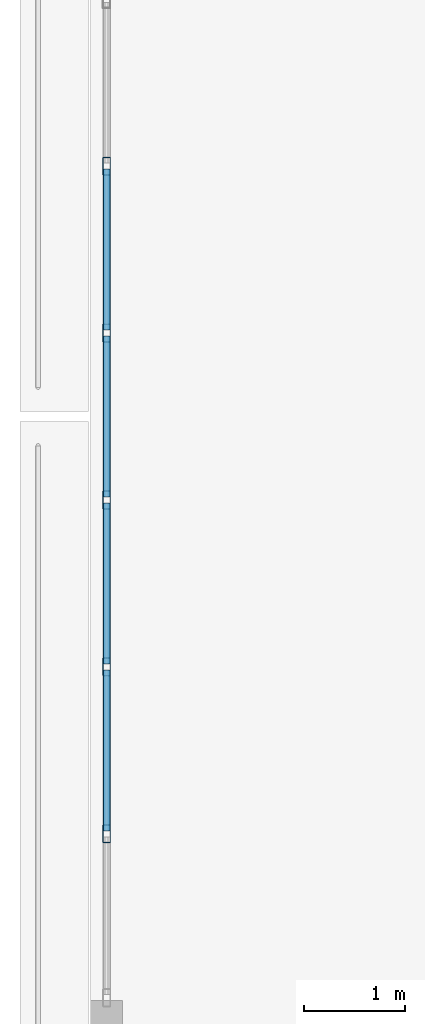
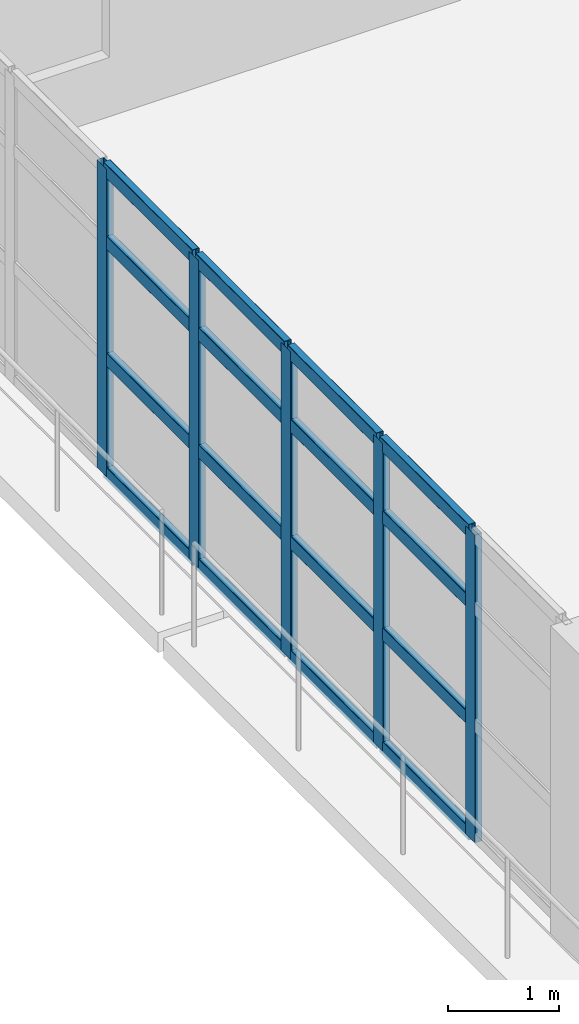
# One storey, part 7 of 24: 21 members, 1 element without a shape of its own.
"""IFC4 building model written with IfcOpenShell, lengths in metres."""

from ifc_helpers import new_model, si_unit, direction, frame, origin, origin_2d, place, context, subcontext, project, spatial, hollow_rectangle, extrude, material, layer, layer_set, material_profile, profile_set, type_object, element, aggregate, save


model = new_model("IFC4")

# Units and contexts
model_context = context("Model", 3, precision=1e-05, world=origin(), true_north=direction((0.0, 1.0)))
body_context = subcontext(model_context, "Body", "Model", "MODEL_VIEW")
ifc_project = project(units=[si_unit("LENGTHUNIT", "METRE"), si_unit("AREAUNIT", "SQUARE_METRE"), si_unit("VOLUMEUNIT", "CUBIC_METRE"), si_unit("PLANEANGLEUNIT", "RADIAN"), si_unit("MASSUNIT", "GRAM", prefix="KILO")], contexts=[model_context])

# Site, building, storey
site_placement = place(None, origin())
site = spatial("IfcSite", under=ifc_project, at=site_placement, CompositionType="ELEMENT")
building_placement = place(site_placement, origin())
building = spatial("IfcBuilding", under=site, at=building_placement, Name="Qingluan Cross Belvedere", CompositionType="ELEMENT")
storey_placement = place(building_placement, frame((0.0, 0.0, 19.199951171875)))
storey = spatial("IfcBuildingStorey", under=building, at=storey_placement, Name="L05", CompositionType="ELEMENT", Elevation=19.199951171875)

# Curtain wall, members
ifc_material_1 = material(Name="Thermally broken aluminium and Low-E glass", Category="aluminium")
ifc_layer = layer(ifc_material_1, 0.179931640625, Name="UnitisedCW_CascadeGarden")
ifc_layer_set = layer_set([ifc_layer], Name="Thermally broken aluminium and Low-E glass")
curtain_wall_type = type_object("IfcCurtainWallType", Name="UnitisedCW_CascadeGarden", PredefinedType="USERDEFINED", material=ifc_layer_set)
curtain_wall_placement = place(storey_placement, origin())
curtain_wall = element("IfcCurtainWall", 1, at=curtain_wall_placement, inside=storey, type_object=curtain_wall_type, Name="UnitisedCW_CascadeGarden run env:cw:L05:W", ObjectType="UNITISED CURTAIN WALL", PredefinedType="USERDEFINED")
ifc_material_2 = material(Name="Aluminium alloy 6063-T6", Category="aluminium")
ifc_material_profile_1 = material_profile(ifc_material_2, hollow_rectangle(XDim=0.074951171875, YDim=0.179931640625, WallThickness=0.00390625, InnerFilletRadius=0.00390625, OuterFilletRadius=0.008056640625, at=origin_2d()), Name="CWM180x75x4")
ifc_profile_set_1 = profile_set([ifc_material_profile_1], Name="Aluminium alloy 6063-T6")
member_type_1 = type_object("IfcMemberType", Name="CWMullion_180", PredefinedType="MULLION", material=ifc_profile_set_1)
member_1_placement = place(storey_placement, frame((-36.239990234375, -4.142822265625, 0.0), z_axis=(0.0, 0.0, 1.0), x_axis=(-1.0, 0.0, 0.0)))
member_1 = element("IfcMember", 2, at=member_1_placement, type_object=member_type_1, Name="CW-P3 mullion 2", PredefinedType="MULLION", context=body_context, shape_type="SweptSolid", body=[
    extrude(hollow_rectangle(XDim=0.074951171875, YDim=0.179931640625, WallThickness=0.00390625, InnerFilletRadius=0.00390625, OuterFilletRadius=0.008056640625, at=origin_2d()), origin(), (0.0, 0.0, 1.0), 3.380126953125),
])
member_2_placement = place(storey_placement, frame((-36.239990234375, -2.485595703125, 0.0), z_axis=(0.0, 0.0, 1.0), x_axis=(-1.0, 0.0, 0.0)))
member_2 = element("IfcMember", 3, at=member_2_placement, type_object=member_type_1, Name="CW-P3 mullion 3", PredefinedType="MULLION", context=body_context, shape_type="SweptSolid", body=[
    extrude(hollow_rectangle(XDim=0.074951171875, YDim=0.179931640625, WallThickness=0.00390625, InnerFilletRadius=0.00390625, OuterFilletRadius=0.008056640625, at=origin_2d()), origin(), (0.0, 0.0, 1.0), 3.380126953125),
])
member_3_placement = place(storey_placement, frame((-36.239990234375, -0.82861328125, 0.0), z_axis=(0.0, 0.0, 1.0), x_axis=(-1.0, 0.0, 0.0)))
member_3 = element("IfcMember", 4, at=member_3_placement, type_object=member_type_1, Name="CW-P3 mullion 4", PredefinedType="MULLION", context=body_context, shape_type="SweptSolid", body=[
    extrude(hollow_rectangle(XDim=0.074951171875, YDim=0.179931640625, WallThickness=0.00390625, InnerFilletRadius=0.00390625, OuterFilletRadius=0.008056640625, at=origin_2d()), origin(), (0.0, 0.0, 1.0), 3.380126953125),
])
member_4_placement = place(storey_placement, frame((-36.239990234375, 0.82861328125, 0.0), z_axis=(0.0, 0.0, 1.0), x_axis=(-1.0, 0.0, 0.0)))
member_4 = element("IfcMember", 5, at=member_4_placement, type_object=member_type_1, Name="CW-P3 mullion 5", PredefinedType="MULLION", context=body_context, shape_type="SweptSolid", body=[
    extrude(hollow_rectangle(XDim=0.074951171875, YDim=0.179931640625, WallThickness=0.00390625, InnerFilletRadius=0.00390625, OuterFilletRadius=0.008056640625, at=origin_2d()), origin(), (0.0, 0.0, 1.0), 3.380126953125),
])
member_5_placement = place(storey_placement, frame((-36.239990234375, 2.485595703125, 0.0), z_axis=(0.0, 0.0, 1.0), x_axis=(-1.0, 0.0, 0.0)))
member_5 = element("IfcMember", 6, at=member_5_placement, type_object=member_type_1, Name="CW-P3 mullion 6", PredefinedType="MULLION", context=body_context, shape_type="SweptSolid", body=[
    extrude(hollow_rectangle(XDim=0.074951171875, YDim=0.179931640625, WallThickness=0.00390625, InnerFilletRadius=0.00390625, OuterFilletRadius=0.008056640625, at=origin_2d()), origin(), (0.0, 0.0, 1.0), 3.380126953125),
])
ifc_material_3 = material(Name="Aluminium alloy 6063-T6", Category="aluminium")
ifc_material_profile_2 = material_profile(ifc_material_3, hollow_rectangle(XDim=0.074951171875, YDim=0.14990234375, WallThickness=0.00390625, InnerFilletRadius=0.00390625, OuterFilletRadius=0.008056640625, at=origin_2d()), Name="CWT150x75x4")
ifc_profile_set_2 = profile_set([ifc_material_profile_2], Name="Aluminium alloy 6063-T6")
member_type_2 = type_object("IfcMemberType", Name="CWTransom_150", PredefinedType="USERDEFINED", material=ifc_profile_set_2)
member_6_placement = place(storey_placement, frame((-36.239990234375, -4.11279296875, 0.030029296875), z_axis=(0.0, 1.0, 0.0), x_axis=(-1.0, 0.0, 0.0)))
member_6 = element("IfcMember", 7, at=member_6_placement, type_object=member_type_2, Name="CW-P3 transom 2.1", ObjectType="TRANSOM", PredefinedType="USERDEFINED", context=body_context, shape_type="SweptSolid", body=[
    extrude(hollow_rectangle(XDim=0.074951171875, YDim=0.14990234375, WallThickness=0.00390625, InnerFilletRadius=0.00390625, OuterFilletRadius=0.008056640625, at=origin_2d()), origin(), (0.0, 0.0, 1.0), 1.59716796875),
])
member_7_placement = place(storey_placement, frame((-36.239990234375, -4.11279296875, 1.283935546875), z_axis=(0.0, 1.0, 0.0), x_axis=(-1.0, 0.0, 0.0)))
member_7 = element("IfcMember", 8, at=member_7_placement, type_object=member_type_2, Name="CW-P3 transom 2.2", ObjectType="TRANSOM", PredefinedType="USERDEFINED", context=body_context, shape_type="SweptSolid", body=[
    extrude(hollow_rectangle(XDim=0.074951171875, YDim=0.14990234375, WallThickness=0.00390625, InnerFilletRadius=0.00390625, OuterFilletRadius=0.008056640625, at=origin_2d()), origin(), (0.0, 0.0, 1.0), 1.59716796875),
])
member_8_placement = place(storey_placement, frame((-36.239990234375, -4.11279296875, 2.569091796875), z_axis=(0.0, 1.0, 0.0), x_axis=(-1.0, 0.0, 0.0)))
member_8 = element("IfcMember", 9, at=member_8_placement, type_object=member_type_2, Name="CW-P3 transom 2.3", ObjectType="TRANSOM", PredefinedType="USERDEFINED", context=body_context, shape_type="SweptSolid", body=[
    extrude(hollow_rectangle(XDim=0.074951171875, YDim=0.14990234375, WallThickness=0.00390625, InnerFilletRadius=0.00390625, OuterFilletRadius=0.008056640625, at=origin_2d()), origin(), (0.0, 0.0, 1.0), 1.59716796875),
])
member_9_placement = place(storey_placement, frame((-36.239990234375, -4.11279296875, 3.35009765625), z_axis=(0.0, 1.0, 0.0), x_axis=(-1.0, 0.0, 0.0)))
member_9 = element("IfcMember", 10, at=member_9_placement, type_object=member_type_2, Name="CW-P3 transom 2.4", ObjectType="TRANSOM", PredefinedType="USERDEFINED", context=body_context, shape_type="SweptSolid", body=[
    extrude(hollow_rectangle(XDim=0.074951171875, YDim=0.14990234375, WallThickness=0.00390625, InnerFilletRadius=0.00390625, OuterFilletRadius=0.008056640625, at=origin_2d()), origin(), (0.0, 0.0, 1.0), 1.59716796875),
])
member_10_placement = place(storey_placement, frame((-36.239990234375, -2.455810546875, 0.030029296875), z_axis=(0.0, 1.0, 0.0), x_axis=(-1.0, 0.0, 0.0)))
member_10 = element("IfcMember", 11, at=member_10_placement, type_object=member_type_2, Name="CW-P3 transom 3.1", ObjectType="TRANSOM", PredefinedType="USERDEFINED", context=body_context, shape_type="SweptSolid", body=[
    extrude(hollow_rectangle(XDim=0.074951171875, YDim=0.14990234375, WallThickness=0.00390625, InnerFilletRadius=0.00390625, OuterFilletRadius=0.008056640625, at=origin_2d()), origin(), (0.0, 0.0, 1.0), 1.59716796875),
])
member_11_placement = place(storey_placement, frame((-36.239990234375, -2.455810546875, 1.283935546875), z_axis=(0.0, 1.0, 0.0), x_axis=(-1.0, 0.0, 0.0)))
member_11 = element("IfcMember", 12, at=member_11_placement, type_object=member_type_2, Name="CW-P3 transom 3.2", ObjectType="TRANSOM", PredefinedType="USERDEFINED", context=body_context, shape_type="SweptSolid", body=[
    extrude(hollow_rectangle(XDim=0.074951171875, YDim=0.14990234375, WallThickness=0.00390625, InnerFilletRadius=0.00390625, OuterFilletRadius=0.008056640625, at=origin_2d()), origin(), (0.0, 0.0, 1.0), 1.59716796875),
])
member_12_placement = place(storey_placement, frame((-36.239990234375, -2.455810546875, 2.569091796875), z_axis=(0.0, 1.0, 0.0), x_axis=(-1.0, 0.0, 0.0)))
member_12 = element("IfcMember", 13, at=member_12_placement, type_object=member_type_2, Name="CW-P3 transom 3.3", ObjectType="TRANSOM", PredefinedType="USERDEFINED", context=body_context, shape_type="SweptSolid", body=[
    extrude(hollow_rectangle(XDim=0.074951171875, YDim=0.14990234375, WallThickness=0.00390625, InnerFilletRadius=0.00390625, OuterFilletRadius=0.008056640625, at=origin_2d()), origin(), (0.0, 0.0, 1.0), 1.59716796875),
])
member_13_placement = place(storey_placement, frame((-36.239990234375, -2.455810546875, 3.35009765625), z_axis=(0.0, 1.0, 0.0), x_axis=(-1.0, 0.0, 0.0)))
member_13 = element("IfcMember", 14, at=member_13_placement, type_object=member_type_2, Name="CW-P3 transom 3.4", ObjectType="TRANSOM", PredefinedType="USERDEFINED", context=body_context, shape_type="SweptSolid", body=[
    extrude(hollow_rectangle(XDim=0.074951171875, YDim=0.14990234375, WallThickness=0.00390625, InnerFilletRadius=0.00390625, OuterFilletRadius=0.008056640625, at=origin_2d()), origin(), (0.0, 0.0, 1.0), 1.59716796875),
])
member_14_placement = place(storey_placement, frame((-36.239990234375, -0.798583984375, 0.030029296875), z_axis=(0.0, 1.0, 0.0), x_axis=(-1.0, 0.0, 0.0)))
member_14 = element("IfcMember", 15, at=member_14_placement, type_object=member_type_2, Name="CW-P3 transom 4.1", ObjectType="TRANSOM", PredefinedType="USERDEFINED", context=body_context, shape_type="SweptSolid", body=[
    extrude(hollow_rectangle(XDim=0.074951171875, YDim=0.14990234375, WallThickness=0.00390625, InnerFilletRadius=0.00390625, OuterFilletRadius=0.008056640625, at=origin_2d()), origin(), (0.0, 0.0, 1.0), 1.59716796875),
])
member_15_placement = place(storey_placement, frame((-36.239990234375, -0.798583984375, 1.283935546875), z_axis=(0.0, 1.0, 0.0), x_axis=(-1.0, 0.0, 0.0)))
member_15 = element("IfcMember", 16, at=member_15_placement, type_object=member_type_2, Name="CW-P3 transom 4.2", ObjectType="TRANSOM", PredefinedType="USERDEFINED", context=body_context, shape_type="SweptSolid", body=[
    extrude(hollow_rectangle(XDim=0.074951171875, YDim=0.14990234375, WallThickness=0.00390625, InnerFilletRadius=0.00390625, OuterFilletRadius=0.008056640625, at=origin_2d()), origin(), (0.0, 0.0, 1.0), 1.59716796875),
])
member_16_placement = place(storey_placement, frame((-36.239990234375, -0.798583984375, 2.569091796875), z_axis=(0.0, 1.0, 0.0), x_axis=(-1.0, 0.0, 0.0)))
member_16 = element("IfcMember", 17, at=member_16_placement, type_object=member_type_2, Name="CW-P3 transom 4.3", ObjectType="TRANSOM", PredefinedType="USERDEFINED", context=body_context, shape_type="SweptSolid", body=[
    extrude(hollow_rectangle(XDim=0.074951171875, YDim=0.14990234375, WallThickness=0.00390625, InnerFilletRadius=0.00390625, OuterFilletRadius=0.008056640625, at=origin_2d()), origin(), (0.0, 0.0, 1.0), 1.59716796875),
])
member_17_placement = place(storey_placement, frame((-36.239990234375, -0.798583984375, 3.35009765625), z_axis=(0.0, 1.0, 0.0), x_axis=(-1.0, 0.0, 0.0)))
member_17 = element("IfcMember", 18, at=member_17_placement, type_object=member_type_2, Name="CW-P3 transom 4.4", ObjectType="TRANSOM", PredefinedType="USERDEFINED", context=body_context, shape_type="SweptSolid", body=[
    extrude(hollow_rectangle(XDim=0.074951171875, YDim=0.14990234375, WallThickness=0.00390625, InnerFilletRadius=0.00390625, OuterFilletRadius=0.008056640625, at=origin_2d()), origin(), (0.0, 0.0, 1.0), 1.59716796875),
])
member_18_placement = place(storey_placement, frame((-36.239990234375, 0.858642578125, 0.030029296875), z_axis=(0.0, 1.0, 0.0), x_axis=(-1.0, 0.0, 0.0)))
member_18 = element("IfcMember", 19, at=member_18_placement, type_object=member_type_2, Name="CW-P3 transom 5.1", ObjectType="TRANSOM", PredefinedType="USERDEFINED", context=body_context, shape_type="SweptSolid", body=[
    extrude(hollow_rectangle(XDim=0.074951171875, YDim=0.14990234375, WallThickness=0.00390625, InnerFilletRadius=0.00390625, OuterFilletRadius=0.008056640625, at=origin_2d()), origin(), (0.0, 0.0, 1.0), 1.59716796875),
])
member_19_placement = place(storey_placement, frame((-36.239990234375, 0.858642578125, 1.283935546875), z_axis=(0.0, 1.0, 0.0), x_axis=(-1.0, 0.0, 0.0)))
member_19 = element("IfcMember", 20, at=member_19_placement, type_object=member_type_2, Name="CW-P3 transom 5.2", ObjectType="TRANSOM", PredefinedType="USERDEFINED", context=body_context, shape_type="SweptSolid", body=[
    extrude(hollow_rectangle(XDim=0.074951171875, YDim=0.14990234375, WallThickness=0.00390625, InnerFilletRadius=0.00390625, OuterFilletRadius=0.008056640625, at=origin_2d()), origin(), (0.0, 0.0, 1.0), 1.59716796875),
])
member_20_placement = place(storey_placement, frame((-36.239990234375, 0.858642578125, 2.569091796875), z_axis=(0.0, 1.0, 0.0), x_axis=(-1.0, 0.0, 0.0)))
member_20 = element("IfcMember", 21, at=member_20_placement, type_object=member_type_2, Name="CW-P3 transom 5.3", ObjectType="TRANSOM", PredefinedType="USERDEFINED", context=body_context, shape_type="SweptSolid", body=[
    extrude(hollow_rectangle(XDim=0.074951171875, YDim=0.14990234375, WallThickness=0.00390625, InnerFilletRadius=0.00390625, OuterFilletRadius=0.008056640625, at=origin_2d()), origin(), (0.0, 0.0, 1.0), 1.59716796875),
])
member_21_placement = place(storey_placement, frame((-36.239990234375, 0.858642578125, 3.35009765625), z_axis=(0.0, 1.0, 0.0), x_axis=(-1.0, 0.0, 0.0)))
member_21 = element("IfcMember", 22, at=member_21_placement, type_object=member_type_2, Name="CW-P3 transom 5.4", ObjectType="TRANSOM", PredefinedType="USERDEFINED", context=body_context, shape_type="SweptSolid", body=[
    extrude(hollow_rectangle(XDim=0.074951171875, YDim=0.14990234375, WallThickness=0.00390625, InnerFilletRadius=0.00390625, OuterFilletRadius=0.008056640625, at=origin_2d()), origin(), (0.0, 0.0, 1.0), 1.59716796875),
])
aggregate(curtain_wall, [member_1, member_2, member_3, member_4, member_5, member_6, member_7, member_8, member_9, member_10, member_11, member_12, member_13, member_14, member_15, member_16, member_17, member_18, member_19, member_20, member_21])

save(model, "model.ifc")
